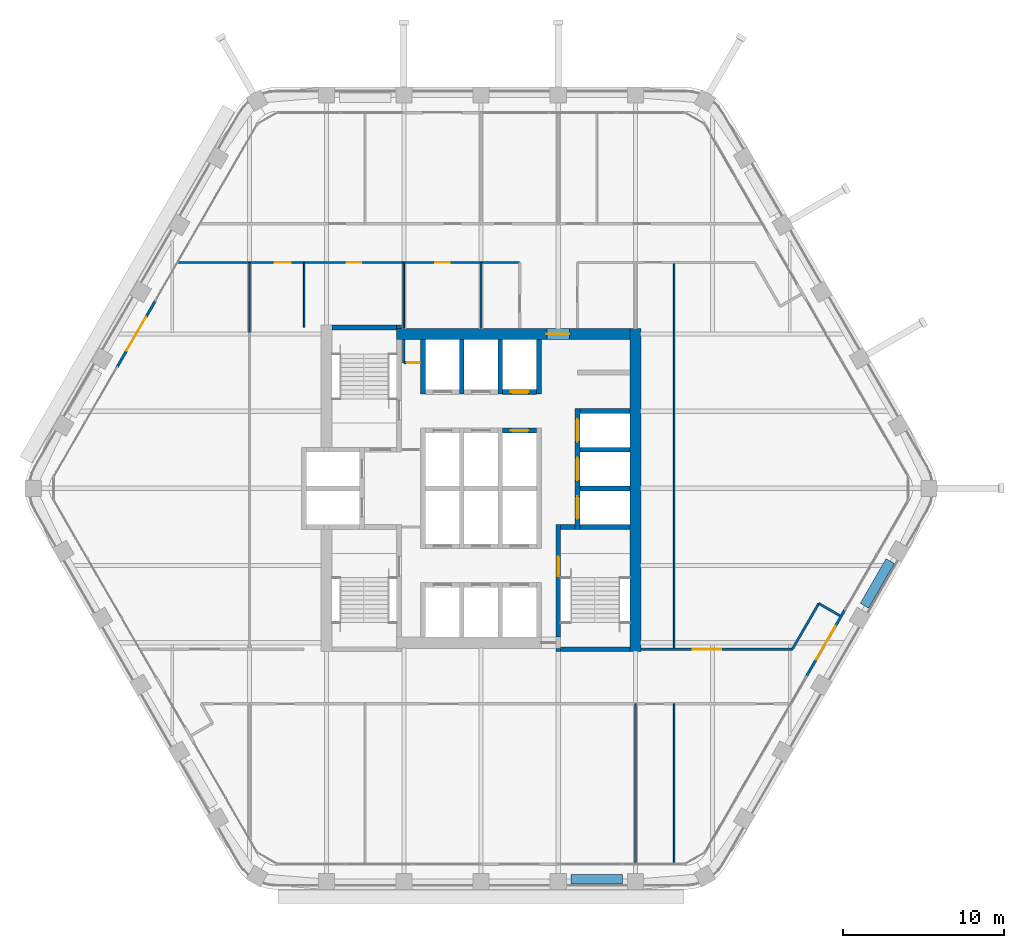
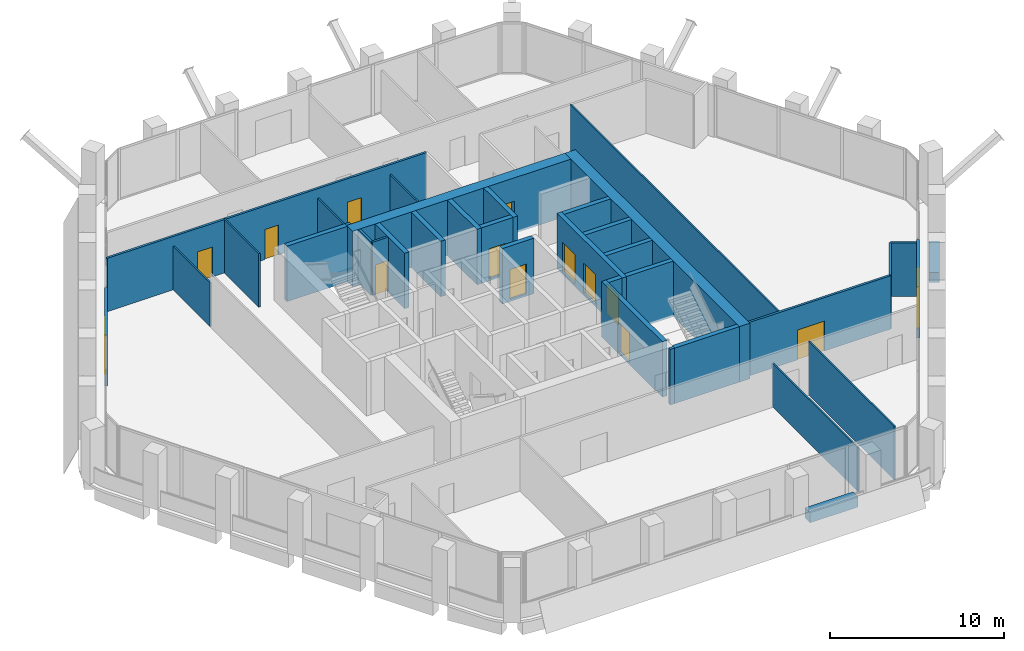
# One storey, part 11 of 16: 36 walls, 14 doors, 14 openings.
"""IFC4 building model written with IfcOpenShell, lengths in metres."""

from ifc_helpers import new_model, si_unit, direction, frame, frame_2d, origin, place, context, subcontext, project, spatial, rectangle, extrude, material, layer, layer_set, type_object, element, fill, save


model = new_model("IFC4")

# Units and contexts
model_context = context("Model", 3, precision=1e-05, world=origin(), true_north=direction((0.0, 1.0)))
body_context = subcontext(model_context, "Body", "Model", "MODEL_VIEW")
ifc_project = project(units=[si_unit("LENGTHUNIT", "METRE"), si_unit("AREAUNIT", "SQUARE_METRE"), si_unit("VOLUMEUNIT", "CUBIC_METRE"), si_unit("PLANEANGLEUNIT", "RADIAN"), si_unit("MASSUNIT", "GRAM", prefix="KILO")], contexts=[model_context])

# Site, building, storey
site_placement = place(None, origin())
site = spatial("IfcSite", under=ifc_project, at=site_placement, CompositionType="ELEMENT")
building_placement = place(site_placement, origin())
building = spatial("IfcBuilding", under=site, at=building_placement, Name="Kolab Exchange Tower", CompositionType="ELEMENT")
storey_placement = place(building_placement, frame((0.0, 0.0, 162.199951171875)))
storey = spatial("IfcBuildingStorey", under=building, at=storey_placement, Name="L33", CompositionType="ELEMENT", Elevation=162.199951171875)

# Wall, opening, door
ifc_material_1 = material(Name="Concrete C60/75", Category="concrete")
ifc_layer_1 = layer(ifc_material_1, 0.699951171875)
ifc_layer_set_1 = layer_set([ifc_layer_1], Name="Concrete C60/75")
wall_type_1 = type_object("IfcWallType", Name="CORE WALL 700 C60/75", PredefinedType="SHEAR", material=ifc_layer_set_1)
wall_1_placement = place(storey_placement, frame((-5.25, 9.60009765625, -0.14990234375), z_axis=(0.0, 0.0, 1.0), x_axis=(1.0, 0.0, 0.0)))
wall_1 = element("IfcWall", 1, at=wall_1_placement, inside=storey, type_object=wall_type_1, Name="wall/L33/core/031", PredefinedType="SHEAR", context=body_context, shape_type="SweptSolid", body=[
    extrude(rectangle(XDim=14.5, YDim=0.699951171875, at=frame_2d((7.25, 0.0))), origin(), (0.0, 0.0, 1.0), 3.89990234375),
])
opening_1_placement = place(wall_1_placement, frame((9.35009765625, 0.0, 0.14990234375)))
opening_1 = element("IfcOpeningElement", 2, at=opening_1_placement, cuts=wall_1, Name="Opening D5-010", PredefinedType="OPENING", context=body_context, shape_type="SweptSolid", body=[
    extrude(rectangle(XDim=1.39990234375, YDim=2.10009765625, at=frame_2d((0.699951171875, 1.050048828125))), frame((0.0, 0.35986328125, 0.0), z_axis=(0.0, -1.0, 0.0), x_axis=(1.0, 0.0, 0.0)), (0.0, 0.0, 1.0), 0.719970703125),
])
ifc_material_2 = material(Name="Steel S235", Category="steel")
door_type_1 = type_object("IfcDoorType", Name="CORE DOOR 1400 EI 120", OperationType="DOUBLE_DOOR_SINGLE_SWING", PredefinedType="DOOR", material=ifc_material_2)
door_1_placement = place(opening_1_placement, frame((1.39990234375, 0.0, 0.0), z_axis=(0.0, 0.0, 1.0), x_axis=(-1.0, 0.0, 0.0)))
door_1 = element("IfcDoor", 3, at=door_1_placement, inside=storey, type_object=door_type_1, Name="Core lobby door", OperationType="SINGLE_SWING_LEFT", OverallHeight=2.10009765625, OverallWidth=1.39990234375, PredefinedType="DOOR", context=body_context, shape_type="SweptSolid", body=[
    extrude(rectangle(XDim=1.39990234375, YDim=2.10009765625, at=frame_2d((0.699951171875, 1.050048828125))), frame((0.0, 0.02490234375, 0.0), z_axis=(0.0, -1.0, 0.0), x_axis=(1.0, 0.0, 0.0)), (0.0, 0.0, 1.0), 0.050048828125),
])
fill(opening_1, door_1)

# Wall
wall_2_placement = place(storey_placement, frame((9.60009765625, -10.14990234375, -0.14990234375), z_axis=(0.0, 0.0, 1.0), x_axis=(0.0, 1.0, 0.0)))
element("IfcWall", 4, at=wall_2_placement, inside=storey, type_object=wall_type_1, Name="wall/L33/core/058", PredefinedType="SHEAR", context=body_context, shape_type="SweptSolid", body=[
    extrude(rectangle(XDim=20.099853515625, YDim=0.699951171875, at=frame_2d((10.0498046875, 0.0))), origin(), (0.0, 0.0, 1.0), 3.89990234375),
])

# Wall, opening, door
ifc_material_3 = material(Name="Aluminium EN AW-6063 T6", Category="aluminium")
ifc_layer_2 = layer(ifc_material_3, 0.159912109375)
ifc_layer_set_2 = layer_set([ifc_layer_2], Name="Aluminium EN AW-6063 T6")
wall_type_2 = type_object("IfcWallType", Name="DOOR SURROUND WALL 160 ALUMINIUM FRAMED", PredefinedType="PARTITIONING", material=ifc_layer_set_2)
wall_3_placement = place(storey_placement, frame((22.61669921875, -7.5498046875, 0.0), z_axis=(0.0, 0.0, 1.0), x_axis=(-0.5000167099, -0.866015756104, 0.0)))
wall_3 = element("IfcWall", 5, at=wall_3_placement, inside=storey, type_object=wall_type_2, Name="Door surround wall", PredefinedType="PARTITIONING", context=body_context, shape_type="SweptSolid", body=[
    extrude(rectangle(XDim=4.739990234375, YDim=0.159912109375, at=frame_2d((2.3701171875, 0.0))), origin(), (0.0, 0.0, 1.0), 3.60009765625),
])
opening_2_placement = place(wall_3_placement, frame((1.169921875, 0.0, 0.0)))
opening_2 = element("IfcOpeningElement", 6, at=opening_2_placement, cuts=wall_3, Name="Opening GD1-072", PredefinedType="OPENING", context=body_context, shape_type="SweptSolid", body=[
    extrude(rectangle(XDim=2.39990234375, YDim=2.39990234375, at=frame_2d((1.199951171875, 1.199951171875))), frame((0.0, 0.08984375, 0.0), z_axis=(0.0, -1.0, 0.0), x_axis=(1.0, 0.0, 0.0)), (0.0, 0.0, 1.0), 0.179931640625),
])
door_type_2 = type_object("IfcDoorType", Name="LOGGIA SLIDING GLASS DOOR 2400 X 2400", OperationType="DOUBLE_DOOR_SINGLE_SWING", PredefinedType="DOOR", material=ifc_material_3)
door_2_placement = place(opening_2_placement, origin())
door_2 = element("IfcDoor", 7, at=door_2_placement, inside=storey, type_object=door_type_2, Name="Loggia door", OperationType="DOUBLE_DOOR_SLIDING", OverallHeight=2.39990234375, OverallWidth=2.39990234375, PredefinedType="DOOR", context=body_context, shape_type="SweptSolid", body=[
    extrude(rectangle(XDim=2.39990234375, YDim=2.39990234375, at=frame_2d((1.199951171875, 1.199951171875))), frame((0.0, 0.02490234375, 0.0), z_axis=(0.0, -1.0, 0.0), x_axis=(1.0, 0.0, 0.0)), (0.0, 0.0, 1.0), 0.050048828125),
])
fill(opening_2, door_2)

wall_4_placement = place(storey_placement, frame((-22.61669921875, 7.5498046875, 0.0), z_axis=(0.0, 0.0, 1.0), x_axis=(0.5000167099, 0.866015756104, 0.0)))
wall_4 = element("IfcWall", 8, at=wall_4_placement, inside=storey, type_object=wall_type_2, Name="Door surround wall", PredefinedType="PARTITIONING", context=body_context, shape_type="SweptSolid", body=[
    extrude(rectangle(XDim=4.739990234375, YDim=0.159912109375, at=frame_2d((2.3701171875, 0.0))), origin(), (0.0, 0.0, 1.0), 3.60009765625),
])
opening_3_placement = place(wall_4_placement, frame((1.169921875, 0.0, 0.0)))
opening_3 = element("IfcOpeningElement", 9, at=opening_3_placement, cuts=wall_4, Name="Opening GD1-078", PredefinedType="OPENING", context=body_context, shape_type="SweptSolid", body=[
    extrude(rectangle(XDim=2.39990234375, YDim=2.39990234375, at=frame_2d((1.199951171875, 1.199951171875))), frame((0.0, 0.08984375, 0.0), z_axis=(0.0, -1.0, 0.0), x_axis=(1.0, 0.0, 0.0)), (0.0, 0.0, 1.0), 0.179931640625),
])
door_3_placement = place(opening_3_placement, origin())
door_3 = element("IfcDoor", 10, at=door_3_placement, inside=storey, type_object=door_type_2, Name="Loggia door", OperationType="DOUBLE_DOOR_SLIDING", OverallHeight=2.39990234375, OverallWidth=2.39990234375, PredefinedType="DOOR", context=body_context, shape_type="SweptSolid", body=[
    extrude(rectangle(XDim=2.39990234375, YDim=2.39990234375, at=frame_2d((1.199951171875, 1.199951171875))), frame((0.0, 0.02490234375, 0.0), z_axis=(0.0, -1.0, 0.0), x_axis=(1.0, 0.0, 0.0)), (0.0, 0.0, 1.0), 0.050048828125),
])
fill(opening_3, door_3)

# Walls
ifc_material_4 = material(Name="Concrete C50/60", Category="concrete")
ifc_layer_3 = layer(ifc_material_4, 0.300048828125)
ifc_layer_set_3 = layer_set([ifc_layer_3], Name="Concrete C50/60")
wall_type_3 = type_object("IfcWallType", Name="LIFT SHAFT WALL 300 C50/60", PredefinedType="STANDARD", material=ifc_layer_set_3)
for number, where, z_axis, x_axis, name in (
    (11, (6.14990234375, 0.0, -0.14990234375), (0.0, 0.0, 1.0), (1.0, 0.0, 0.0), "wall/L33/core/018"),
    (12, (6.14990234375, 2.39990234375, -0.14990234375), (0.0, 0.0, 1.0), (1.0, 0.0, 0.0), "wall/L33/core/022"),
):
    element("IfcWall", number, at=place(storey_placement, frame(where, z_axis=z_axis, x_axis=x_axis)), inside=storey, type_object=wall_type_3, Name=name, PredefinedType="STANDARD", context=body_context, shape_type="SweptSolid", body=[
        extrude(rectangle(XDim=3.10009765625, YDim=0.300048828125, at=frame_2d((1.550048828125, 0.0))), origin(), (0.0, 0.0, 1.0), 3.89990234375),
    ])

# Wall, opening, door
wall_5_placement = place(storey_placement, frame((1.35009765625, 3.60009765625, -0.14990234375), z_axis=(0.0, 0.0, 1.0), x_axis=(1.0, 0.0, 0.0)))
wall_5 = element("IfcWall", 13, at=wall_5_placement, inside=storey, type_object=wall_type_3, Name="wall/L33/core/025", PredefinedType="STANDARD", context=body_context, shape_type="SweptSolid", body=[
    extrude(rectangle(XDim=2.099853515625, YDim=0.300048828125, at=frame_2d((1.0498046875, 0.0))), origin(), (0.0, 0.0, 1.0), 3.89990234375),
])
opening_4_placement = place(wall_5_placement, frame((0.5, 0.0, 0.14990234375)))
opening_4 = element("IfcOpeningElement", 14, at=opening_4_placement, cuts=wall_5, Name="Opening LD1-117", PredefinedType="OPENING", context=body_context, shape_type="SweptSolid", body=[
    extrude(rectangle(XDim=1.10009765625, YDim=2.10009765625, at=frame_2d((0.550048828125, 1.050048828125))), frame((0.0, 0.16015625, 0.0), z_axis=(0.0, -1.0, 0.0), x_axis=(1.0, 0.0, 0.0)), (0.0, 0.0, 1.0), 0.320068359375),
])
ifc_material_5 = material(Name="Stainless steel 316", Category="steel")
door_type_3 = type_object("IfcDoorType", Name="LANDING DOOR 1100 PASSENGER", OperationType="DOUBLE_DOOR_SLIDING", PredefinedType="DOOR", material=ifc_material_5)
door_4_placement = place(opening_4_placement, origin())
door_4 = element("IfcDoor", 15, at=door_4_placement, inside=storey, type_object=door_type_3, Name="Landing door HR6", OperationType="DOUBLE_DOOR_SLIDING", OverallHeight=2.10009765625, OverallWidth=1.10009765625, PredefinedType="DOOR", context=body_context, shape_type="SweptSolid", body=[
    extrude(rectangle(XDim=1.10009765625, YDim=2.10009765625, at=frame_2d((0.550048828125, 1.050048828125))), frame((0.0, 0.02490234375, 0.0), z_axis=(0.0, -1.0, 0.0), x_axis=(1.0, 0.0, 0.0)), (0.0, 0.0, 1.0), 0.050048828125),
])
fill(opening_4, door_4)

# Wall
wall_6_placement = place(storey_placement, frame((6.14990234375, 4.800048828125, -0.14990234375), z_axis=(0.0, 0.0, 1.0), x_axis=(1.0, 0.0, 0.0)))
element("IfcWall", 16, at=wall_6_placement, inside=storey, type_object=wall_type_3, Name="wall/L33/core/026", PredefinedType="STANDARD", context=body_context, shape_type="SweptSolid", body=[
    extrude(rectangle(XDim=3.10009765625, YDim=0.300048828125, at=frame_2d((1.550048828125, 0.0))), origin(), (0.0, 0.0, 1.0), 3.89990234375),
])

# Wall, opening, door
wall_7_placement = place(storey_placement, frame((1.35009765625, 6.0, -0.14990234375), z_axis=(0.0, 0.0, 1.0), x_axis=(1.0, 0.0, 0.0)))
wall_7 = element("IfcWall", 17, at=wall_7_placement, inside=storey, type_object=wall_type_3, Name="wall/L33/core/029", PredefinedType="STANDARD", context=body_context, shape_type="SweptSolid", body=[
    extrude(rectangle(XDim=2.099853515625, YDim=0.300048828125, at=frame_2d((1.0498046875, 0.0))), origin(), (0.0, 0.0, 1.0), 3.89990234375),
])
opening_5_placement = place(wall_7_placement, frame((0.5, 0.0, 0.14990234375)))
opening_5 = element("IfcOpeningElement", 18, at=opening_5_placement, cuts=wall_7, Name="Opening LD1-114", PredefinedType="OPENING", context=body_context, shape_type="SweptSolid", body=[
    extrude(rectangle(XDim=1.10009765625, YDim=2.10009765625, at=frame_2d((0.550048828125, 1.050048828125))), frame((0.0, 0.16015625, 0.0), z_axis=(0.0, -1.0, 0.0), x_axis=(1.0, 0.0, 0.0)), (0.0, 0.0, 1.0), 0.320068359375),
])
door_5_placement = place(opening_5_placement, origin())
door_5 = element("IfcDoor", 19, at=door_5_placement, inside=storey, type_object=door_type_3, Name="Landing door HR3", OperationType="DOUBLE_DOOR_SLIDING", OverallHeight=2.10009765625, OverallWidth=1.10009765625, PredefinedType="DOOR", context=body_context, shape_type="SweptSolid", body=[
    extrude(rectangle(XDim=1.10009765625, YDim=2.10009765625, at=frame_2d((0.550048828125, 1.050048828125))), frame((0.0, 0.02490234375, 0.0), z_axis=(0.0, -1.0, 0.0), x_axis=(1.0, 0.0, 0.0)), (0.0, 0.0, 1.0), 0.050048828125),
])
fill(opening_5, door_5)

# Walls
for number, where, z_axis, x_axis, name in (
    (20, (-3.60009765625, 5.85009765625, -0.14990234375), (0.0, 0.0, 1.0), (0.0, 1.0, 0.0), "wall/L33/core/045"),
    (21, (-1.199951171875, 5.85009765625, -0.14990234375), (0.0, 0.0, 1.0), (0.0, 1.0, 0.0), "wall/L33/core/048"),
    (22, (1.199951171875, 5.85009765625, -0.14990234375), (0.0, 0.0, 1.0), (0.0, 1.0, 0.0), "wall/L33/core/051"),
    (23, (3.60009765625, 5.85009765625, -0.14990234375), (0.0, 0.0, 1.0), (0.0, 1.0, 0.0), "wall/L33/core/054"),
):
    element("IfcWall", number, at=place(storey_placement, frame(where, z_axis=z_axis, x_axis=x_axis)), inside=storey, type_object=wall_type_3, Name=name, PredefinedType="STANDARD", context=body_context, shape_type="SweptSolid", body=[
        extrude(rectangle(XDim=3.39990234375, YDim=0.300048828125, at=frame_2d((1.699951171875, 0.0))), origin(), (0.0, 0.0, 1.0), 3.89990234375),
    ])

# Wall, openings, doors
wall_8_placement = place(storey_placement, frame((6.0, -2.550048828125, -0.14990234375), z_axis=(0.0, 0.0, 1.0), x_axis=(0.0, 1.0, 0.0)))
wall_8 = element("IfcWall", 24, at=wall_8_placement, inside=storey, type_object=wall_type_3, Name="wall/L33/core/057", PredefinedType="STANDARD", context=body_context, shape_type="SweptSolid", body=[
    extrude(rectangle(XDim=7.5, YDim=0.300048828125, at=frame_2d((3.75, 0.0))), origin(), (0.0, 0.0, 1.0), 3.89990234375),
])
opening_6_placement = place(wall_8_placement, frame((0.64990234375, 0.0, 0.14990234375)))
opening_6 = element("IfcOpeningElement", 25, at=opening_6_placement, cuts=wall_8, Name="Opening LD3-037", PredefinedType="OPENING", context=body_context, shape_type="SweptSolid", body=[
    extrude(rectangle(XDim=1.39990234375, YDim=2.10009765625, at=frame_2d((0.699951171875, 1.050048828125))), frame((0.0, 0.16015625, 0.0), z_axis=(0.0, -1.0, 0.0), x_axis=(1.0, 0.0, 0.0)), (0.0, 0.0, 1.0), 0.320068359375),
])
opening_7_placement = place(wall_8_placement, frame((3.050048828125, 0.0, 0.14990234375)))
opening_7 = element("IfcOpeningElement", 26, at=opening_7_placement, cuts=wall_8, Name="Opening LD3-038", PredefinedType="OPENING", context=body_context, shape_type="SweptSolid", body=[
    extrude(rectangle(XDim=1.39990234375, YDim=2.10009765625, at=frame_2d((0.699951171875, 1.050048828125))), frame((0.0, 0.16015625, 0.0), z_axis=(0.0, -1.0, 0.0), x_axis=(1.0, 0.0, 0.0)), (0.0, 0.0, 1.0), 0.320068359375),
])
opening_8_placement = place(wall_8_placement, frame((5.449951171875, 0.0, 0.14990234375)))
opening_8 = element("IfcOpeningElement", 27, at=opening_8_placement, cuts=wall_8, Name="Opening LD3-039", PredefinedType="OPENING", context=body_context, shape_type="SweptSolid", body=[
    extrude(rectangle(XDim=1.39990234375, YDim=2.10009765625, at=frame_2d((0.699951171875, 1.050048828125))), frame((0.0, 0.16015625, 0.0), z_axis=(0.0, -1.0, 0.0), x_axis=(1.0, 0.0, 0.0)), (0.0, 0.0, 1.0), 0.320068359375),
])
door_type_4 = type_object("IfcDoorType", Name="LANDING DOOR 1400 SERVICE", OperationType="DOUBLE_DOOR_SLIDING", PredefinedType="DOOR", material=ifc_material_5)
door_6_placement = place(opening_6_placement, origin())
door_6 = element("IfcDoor", 28, at=door_6_placement, inside=storey, type_object=door_type_4, Name="Landing door SV1", OperationType="DOUBLE_DOOR_SLIDING", OverallHeight=2.10009765625, OverallWidth=1.39990234375, PredefinedType="DOOR", context=body_context, shape_type="SweptSolid", body=[
    extrude(rectangle(XDim=1.39990234375, YDim=2.10009765625, at=frame_2d((0.699951171875, 1.050048828125))), frame((0.0, 0.02490234375, 0.0), z_axis=(0.0, -1.0, 0.0), x_axis=(1.0, 0.0, 0.0)), (0.0, 0.0, 1.0), 0.050048828125),
])
fill(opening_6, door_6)
door_7_placement = place(opening_7_placement, origin())
door_7 = element("IfcDoor", 29, at=door_7_placement, inside=storey, type_object=door_type_4, Name="Landing door SV2", OperationType="DOUBLE_DOOR_SLIDING", OverallHeight=2.10009765625, OverallWidth=1.39990234375, PredefinedType="DOOR", context=body_context, shape_type="SweptSolid", body=[
    extrude(rectangle(XDim=1.39990234375, YDim=2.10009765625, at=frame_2d((0.699951171875, 1.050048828125))), frame((0.0, 0.02490234375, 0.0), z_axis=(0.0, -1.0, 0.0), x_axis=(1.0, 0.0, 0.0)), (0.0, 0.0, 1.0), 0.050048828125),
])
fill(opening_7, door_7)
door_8_placement = place(opening_8_placement, origin())
door_8 = element("IfcDoor", 30, at=door_8_placement, inside=storey, type_object=door_type_4, Name="Landing door SV3", OperationType="DOUBLE_DOOR_SLIDING", OverallHeight=2.10009765625, OverallWidth=1.39990234375, PredefinedType="DOOR", context=body_context, shape_type="SweptSolid", body=[
    extrude(rectangle(XDim=1.39990234375, YDim=2.10009765625, at=frame_2d((0.699951171875, 1.050048828125))), frame((0.0, 0.02490234375, 0.0), z_axis=(0.0, -1.0, 0.0), x_axis=(1.0, 0.0, 0.0)), (0.0, 0.0, 1.0), 0.050048828125),
])
fill(opening_8, door_8)

# Walls
ifc_material_6 = material(Name="Gypsum board", Category="gypsum")
ifc_layer_4 = layer(ifc_material_6, 0.10009765625)
ifc_layer_set_4 = layer_set([ifc_layer_4], Name="Gypsum board")
wall_type_4 = type_object("IfcWallType", Name="PARTITION 100", PredefinedType="PARTITIONING", material=ifc_layer_set_4)
wall_9_placement = place(storey_placement, frame((12.0, -23.271484375, 0.0), z_axis=(0.0, 0.0, 1.0), x_axis=(0.0, 1.0, 0.0)))
element("IfcWall", 31, at=wall_9_placement, inside=storey, type_object=wall_type_4, Name="Partition 000", PredefinedType="PARTITIONING", context=body_context, shape_type="SweptSolid", body=[
    extrude(rectangle(XDim=9.87158203125, YDim=0.10009765625, at=frame_2d((4.935791015625, 0.0))), origin(), (0.0, 0.0, 1.0), 3.75),
])
wall_10_placement = place(storey_placement, frame((12.0, -10.0, 0.0), z_axis=(0.0, 0.0, 1.0), x_axis=(0.0, 1.0, 0.0)))
element("IfcWall", 32, at=wall_10_placement, inside=storey, type_object=wall_type_4, Name="Partition 001", PredefinedType="PARTITIONING", context=body_context, shape_type="SweptSolid", body=[
    extrude(rectangle(XDim=24.04150390625, YDim=0.10009765625, at=frame_2d((12.020751953125, 0.0))), origin(), (0.0, 0.0, 1.0), 3.75),
])
wall_11_placement = place(storey_placement, frame((9.60009765625, -23.271484375, 0.0), z_axis=(0.0, 0.0, 1.0), x_axis=(0.0, 1.0, 0.0)))
element("IfcWall", 33, at=wall_11_placement, inside=storey, type_object=wall_type_4, Name="Partition 002", PredefinedType="PARTITIONING", context=body_context, shape_type="SweptSolid", body=[
    extrude(rectangle(XDim=9.87158203125, YDim=0.10009765625, at=frame_2d((4.935791015625, 0.0))), origin(), (0.0, 0.0, 1.0), 3.066162109375),
])
for number, where, z_axis, x_axis, name in (
    (34, (0.0, 9.949951171875, 0.0), (0.0, 0.0, 1.0), (0.0, 1.0, 0.0), "Partition 008"),
    (35, (-4.800048828125, 9.949951171875, 0.0), (0.0, 0.0, 1.0), (0.0, 1.0, 0.0), "Partition 010"),
):
    element("IfcWall", number, at=place(storey_placement, frame(where, z_axis=z_axis, x_axis=x_axis)), inside=storey, type_object=wall_type_4, Name=name, PredefinedType="PARTITIONING", context=body_context, shape_type="SweptSolid", body=[
        extrude(rectangle(XDim=4.091552734375, YDim=0.10009765625, at=frame_2d((2.0458984375, 0.0))), origin(), (0.0, 0.0, 1.0), 3.066162109375),
    ])
wall_12_placement = place(storey_placement, frame((-11.0, 10.0, 0.0), z_axis=(0.0, 0.0, 1.0), x_axis=(0.0, 1.0, 0.0)))
element("IfcWall", 36, at=wall_12_placement, inside=storey, type_object=wall_type_4, Name="Partition 014", PredefinedType="PARTITIONING", context=body_context, shape_type="SweptSolid", body=[
    extrude(rectangle(XDim=4.04150390625, YDim=0.10009765625, at=frame_2d((2.020751953125, 0.0))), origin(), (0.0, 0.0, 1.0), 3.75),
])
wall_13_placement = place(storey_placement, frame((-14.39990234375, 9.693603515625, 0.0), z_axis=(0.0, 0.0, 1.0), x_axis=(0.0, 1.0, 0.0)))
element("IfcWall", 37, at=wall_13_placement, inside=storey, type_object=wall_type_4, Name="Partition 016", PredefinedType="PARTITIONING", context=body_context, shape_type="SweptSolid", body=[
    extrude(rectangle(XDim=4.347900390625, YDim=0.10009765625, at=frame_2d((2.173828125, 0.0))), origin(), (0.0, 0.0, 1.0), 3.066162109375),
])
ifc_layer_5 = layer(ifc_material_6, 0.14990234375)
ifc_layer_set_5 = layer_set([ifc_layer_5], Name="Gypsum board")
wall_type_5 = type_object("IfcWallType", Name="PARTITION 150 FIRE-RATED", PredefinedType="PARTITIONING", material=ifc_layer_set_5)
wall_14_placement = place(storey_placement, frame((-4.800048828125, 7.800048828125, 0.0), z_axis=(0.0, 0.0, 1.0), x_axis=(0.0, 1.0, 0.0)))
element("IfcWall", 38, at=wall_14_placement, inside=storey, type_object=wall_type_5, Name="Partition 011", PredefinedType="PARTITIONING", context=body_context, shape_type="SweptSolid", body=[
    extrude(rectangle(XDim=1.449951171875, YDim=0.14990234375, at=frame_2d((0.72509765625, 0.0))), origin(), (0.0, 0.0, 1.0), 3.75),
])
wall_15_placement = place(storey_placement, frame((19.3544921875, -10.0, 0.0), z_axis=(0.0, 0.0, 1.0), x_axis=(0.500009969958, 0.86601964755, 0.0)))
element("IfcWall", 39, at=wall_15_placement, inside=storey, type_object=wall_type_5, Name="Partition 019", PredefinedType="PARTITIONING", context=body_context, shape_type="SweptSolid", body=[
    extrude(rectangle(XDim=3.283203125, YDim=0.14990234375, at=frame_2d((1.6416015625, 0.0))), origin(), (0.0, 0.0, 1.0), 3.75),
])
wall_16_placement = place(storey_placement, frame((20.99609375, -7.15673828125, 0.0), z_axis=(0.0, 0.0, 1.0), x_axis=(0.865960906633, -0.500111695708, 0.0)))
element("IfcWall", 40, at=wall_16_placement, inside=storey, type_object=wall_type_5, Name="Partition 020", PredefinedType="PARTITIONING", context=body_context, shape_type="SweptSolid", body=[
    extrude(rectangle(XDim=1.520263671875, YDim=0.14990234375, at=frame_2d((0.76025390625, 0.0))), origin(), (0.0, 0.0, 1.0), 3.75),
])

# Wall, opening, door
wall_17_placement = place(storey_placement, frame((9.949951171875, -10.0, 0.0), z_axis=(0.0, 0.0, 1.0), x_axis=(1.0, 0.0, 0.0)))
wall_17 = element("IfcWall", 41, at=wall_17_placement, inside=storey, type_object=wall_type_5, Name="Partition 025", PredefinedType="PARTITIONING", context=body_context, shape_type="SweptSolid", body=[
    extrude(rectangle(XDim=9.404541015625, YDim=0.14990234375, at=frame_2d((4.7021484375, 0.0))), origin(), (0.0, 0.0, 1.0), 3.75),
])
opening_9_placement = place(wall_17_placement, frame((3.1982421875, 0.0, 0.0)))
opening_9 = element("IfcOpeningElement", 42, at=opening_9_placement, cuts=wall_17, Name="Opening D2-046", PredefinedType="OPENING", context=body_context, shape_type="SweptSolid", body=[
    extrude(rectangle(XDim=1.800048828125, YDim=2.10009765625, at=frame_2d((0.89990234375, 1.050048828125))), frame((0.0, 0.0849609375, 0.0), z_axis=(0.0, -1.0, 0.0), x_axis=(1.0, 0.0, 0.0)), (0.0, 0.0, 1.0), 0.169921875),
])
door_type_5 = type_object("IfcDoorType", Name="DOUBLE DOOR 1800 FD60", OperationType="DOUBLE_DOOR_SINGLE_SWING", PredefinedType="DOOR", material=ifc_material_2)
door_9_placement = place(opening_9_placement, origin())
door_9 = element("IfcDoor", 43, at=door_9_placement, inside=storey, type_object=door_type_5, Name="Door L33-044", OperationType="SINGLE_SWING_LEFT", OverallHeight=2.10009765625, OverallWidth=1.800048828125, PredefinedType="DOOR", context=body_context, shape_type="SweptSolid", body=[
    extrude(rectangle(XDim=1.800048828125, YDim=2.10009765625, at=frame_2d((0.89990234375, 1.050048828125))), frame((0.0, 0.02490234375, 0.0), z_axis=(0.0, -1.0, 0.0), x_axis=(1.0, 0.0, 0.0)), (0.0, 0.0, 1.0), 0.050048828125),
])
fill(opening_9, door_9)

wall_18_placement = place(storey_placement, frame((-4.800048828125, 7.800048828125, 0.0), z_axis=(0.0, 0.0, 1.0), x_axis=(1.0, 0.0, 0.0)))
wall_18 = element("IfcWall", 44, at=wall_18_placement, inside=storey, type_object=wall_type_5, Name="Partition 026", PredefinedType="PARTITIONING", context=body_context, shape_type="SweptSolid", body=[
    extrude(rectangle(XDim=1.050048828125, YDim=0.14990234375, at=frame_2d((0.52490234375, 0.0))), origin(), (0.0, 0.0, 1.0), 3.75),
])
opening_10_placement = place(wall_18_placement, frame((0.199951171875, 0.0, 0.0)))
opening_10 = element("IfcOpeningElement", 45, at=opening_10_placement, cuts=wall_18, Name="Opening D7-030", PredefinedType="OPENING", context=body_context, shape_type="SweptSolid", body=[
    extrude(rectangle(XDim=0.800048828125, YDim=2.10009765625, at=frame_2d((0.39990234375, 1.050048828125))), frame((0.0, 0.0849609375, 0.0), z_axis=(0.0, -1.0, 0.0), x_axis=(1.0, 0.0, 0.0)), (0.0, 0.0, 1.0), 0.169921875),
])
door_type_6 = type_object("IfcDoorType", Name="FLUSH DOOR 800 FD60", OperationType="SINGLE_SWING_LEFT", PredefinedType="DOOR", material=ifc_material_2)
door_10_placement = place(opening_10_placement, origin())
door_10 = element("IfcDoor", 46, at=door_10_placement, inside=storey, type_object=door_type_6, Name="Door L33-023", OperationType="SINGLE_SWING_RIGHT", OverallHeight=2.10009765625, OverallWidth=0.800048828125, PredefinedType="DOOR", context=body_context, shape_type="SweptSolid", body=[
    extrude(rectangle(XDim=0.800048828125, YDim=2.10009765625, at=frame_2d((0.39990234375, 1.050048828125))), frame((0.0, 0.02490234375, 0.0), z_axis=(0.0, -1.0, 0.0), x_axis=(1.0, 0.0, 0.0)), (0.0, 0.0, 1.0), 0.050048828125),
])
fill(opening_10, door_10)

# Wall, openings, doors
wall_19_placement = place(storey_placement, frame((-18.822509765625, 14.04150390625, 0.0), z_axis=(0.0, 0.0, 1.0), x_axis=(1.0, 0.0, 0.0)))
wall_19 = element("IfcWall", 47, at=wall_19_placement, inside=storey, type_object=wall_type_5, Name="Partition 027", PredefinedType="PARTITIONING", context=body_context, shape_type="SweptSolid", body=[
    extrude(rectangle(XDim=21.222412109375, YDim=0.14990234375, at=frame_2d((10.611328125, 0.0))), origin(), (0.0, 0.0, 1.0), 3.75),
])
opening_11_placement = place(wall_19_placement, frame((10.472412109375, 0.0, 0.0)))
opening_11 = element("IfcOpeningElement", 48, at=opening_11_placement, cuts=wall_19, Name="Opening D3-046", PredefinedType="OPENING", context=body_context, shape_type="SweptSolid", body=[
    extrude(rectangle(XDim=0.89990234375, YDim=2.10009765625, at=frame_2d((0.449951171875, 1.050048828125))), frame((0.0, 0.0849609375, 0.0), z_axis=(0.0, -1.0, 0.0), x_axis=(1.0, 0.0, 0.0)), (0.0, 0.0, 1.0), 0.169921875),
])
opening_12_placement = place(wall_19_placement, frame((15.972412109375, 0.0, 0.0)))
opening_12 = element("IfcOpeningElement", 49, at=opening_12_placement, cuts=wall_19, Name="Opening D3-047", PredefinedType="OPENING", context=body_context, shape_type="SweptSolid", body=[
    extrude(rectangle(XDim=0.89990234375, YDim=2.10009765625, at=frame_2d((0.449951171875, 1.050048828125))), frame((0.0, 0.0849609375, 0.0), z_axis=(0.0, -1.0, 0.0), x_axis=(1.0, 0.0, 0.0)), (0.0, 0.0, 1.0), 0.169921875),
])
opening_13_placement = place(wall_19_placement, frame((5.99755859375, 0.0, 0.0)))
opening_13 = element("IfcOpeningElement", 50, at=opening_13_placement, cuts=wall_19, Name="Opening D1-458", PredefinedType="OPENING", context=body_context, shape_type="SweptSolid", body=[
    extrude(rectangle(XDim=1.0, YDim=2.10009765625, at=frame_2d((0.5, 1.050048828125))), frame((0.0, 0.0849609375, 0.0), z_axis=(0.0, -1.0, 0.0), x_axis=(1.0, 0.0, 0.0)), (0.0, 0.0, 1.0), 0.169921875),
])
door_type_7 = type_object("IfcDoorType", Name="FLUSH DOOR 1000 FD60", OperationType="SINGLE_SWING_LEFT", PredefinedType="DOOR", material=ifc_material_2)
door_11_placement = place(opening_13_placement, frame((1.0, 0.0, 0.0), z_axis=(0.0, 0.0, 1.0), x_axis=(-1.0, 0.0, 0.0)))
door_11 = element("IfcDoor", 51, at=door_11_placement, inside=storey, type_object=door_type_7, Name="Door L33-046", OperationType="SINGLE_SWING_RIGHT", OverallHeight=2.10009765625, OverallWidth=1.0, PredefinedType="DOOR", context=body_context, shape_type="SweptSolid", body=[
    extrude(rectangle(XDim=1.0, YDim=2.10009765625, at=frame_2d((0.5, 1.050048828125))), frame((0.0, 0.02490234375, 0.0), z_axis=(0.0, -1.0, 0.0), x_axis=(1.0, 0.0, 0.0)), (0.0, 0.0, 1.0), 0.050048828125),
])
fill(opening_13, door_11)
door_type_8 = type_object("IfcDoorType", Name="FLUSH DOOR 900 FD60", OperationType="SINGLE_SWING_LEFT", PredefinedType="DOOR", material=ifc_material_2)
door_12_placement = place(opening_11_placement, frame((0.89990234375, 0.0, 0.0), z_axis=(0.0, 0.0, 1.0), x_axis=(-1.0, 0.0, 0.0)))
door_12 = element("IfcDoor", 52, at=door_12_placement, inside=storey, type_object=door_type_8, Name="Door L33-030", OperationType="SINGLE_SWING_LEFT", OverallHeight=2.10009765625, OverallWidth=0.89990234375, PredefinedType="DOOR", context=body_context, shape_type="SweptSolid", body=[
    extrude(rectangle(XDim=0.89990234375, YDim=2.10009765625, at=frame_2d((0.449951171875, 1.050048828125))), frame((0.0, 0.02490234375, 0.0), z_axis=(0.0, -1.0, 0.0), x_axis=(1.0, 0.0, 0.0)), (0.0, 0.0, 1.0), 0.050048828125),
])
fill(opening_11, door_12)
door_13_placement = place(opening_12_placement, frame((0.89990234375, 0.0, 0.0), z_axis=(0.0, 0.0, 1.0), x_axis=(-1.0, 0.0, 0.0)))
door_13 = element("IfcDoor", 53, at=door_13_placement, inside=storey, type_object=door_type_8, Name="Door L33-031", OperationType="SINGLE_SWING_LEFT", OverallHeight=2.10009765625, OverallWidth=0.89990234375, PredefinedType="DOOR", context=body_context, shape_type="SweptSolid", body=[
    extrude(rectangle(XDim=0.89990234375, YDim=2.10009765625, at=frame_2d((0.449951171875, 1.050048828125))), frame((0.0, 0.02490234375, 0.0), z_axis=(0.0, -1.0, 0.0), x_axis=(1.0, 0.0, 0.0)), (0.0, 0.0, 1.0), 0.050048828125),
])
fill(opening_12, door_13)

# Walls
ifc_material_7 = material(Name="Granite facing", Category="masonry")
ifc_layer_6 = layer(ifc_material_7, 0.0400390625)
ifc_material_8 = material(Name="Concrete C40/50 precast", Category="concrete")
ifc_layer_7 = layer(ifc_material_8, 0.56005859375)
ifc_layer_set_6 = layer_set([ifc_layer_6, ifc_layer_7], Name="Concrete C40/50 precast")
wall_type_6 = type_object("IfcWallType", Name="PLANTER BOX 600 X 700 SOIL DEPTH 550", PredefinedType="USERDEFINED", material=ifc_layer_set_6)
wall_20_placement = place(storey_placement, frame((25.43701171875, -4.524658203125, 0.0), z_axis=(0.0, 0.0, 1.0), x_axis=(-0.499938187974, -0.866061088033, 0.0)))
element("IfcWall", 54, at=wall_20_placement, inside=storey, type_object=wall_type_6, Name="Planter", ObjectType="PLANTER", PredefinedType="USERDEFINED", context=body_context, shape_type="SweptSolid", body=[
    extrude(rectangle(XDim=3.2001953125, YDim=0.60009765625, at=frame_2d((1.60009765625, 0.0))), origin(), (0.0, 0.0, 1.0), 0.699951171875),
])
wall_21_placement = place(storey_placement, frame((8.800048828125, -24.29150390625, 0.0), z_axis=(0.0, 0.0, 1.0), x_axis=(-1.0, 0.0, 0.0)))
element("IfcWall", 55, at=wall_21_placement, inside=storey, type_object=wall_type_6, Name="Planter", ObjectType="PLANTER", PredefinedType="USERDEFINED", context=body_context, shape_type="SweptSolid", body=[
    extrude(rectangle(XDim=3.199951171875, YDim=0.60009765625, at=frame_2d((1.60009765625, 0.0))), origin(), (0.0, 0.0, 1.0), 0.699951171875),
])
ifc_layer_8 = layer(ifc_material_4, 0.300048828125)
ifc_layer_set_7 = layer_set([ifc_layer_8], Name="Concrete C50/60")
wall_type_7 = type_object("IfcWallType", Name="STAIR ENCLOSURE WALL 300 C50/60", PredefinedType="STANDARD", material=ifc_layer_set_7)
wall_22_placement = place(storey_placement, frame((4.949951171875, -10.0, -0.14990234375), z_axis=(0.0, 0.0, 1.0), x_axis=(1.0, 0.0, 0.0)))
element("IfcWall", 56, at=wall_22_placement, inside=storey, type_object=wall_type_7, Name="wall/L33/core/001", PredefinedType="STANDARD", context=body_context, shape_type="SweptSolid", body=[
    extrude(rectangle(XDim=4.300048828125, YDim=0.300048828125, at=frame_2d((2.14990234375, 0.0))), origin(), (0.0, 0.0, 1.0), 3.89990234375),
])
wall_23_placement = place(storey_placement, frame((4.949951171875, -2.39990234375, -0.14990234375), z_axis=(0.0, 0.0, 1.0), x_axis=(1.0, 0.0, 0.0)))
element("IfcWall", 57, at=wall_23_placement, inside=storey, type_object=wall_type_7, Name="wall/L33/core/012", PredefinedType="STANDARD", context=body_context, shape_type="SweptSolid", body=[
    extrude(rectangle(XDim=0.900146484375, YDim=0.300048828125, at=frame_2d((0.4501953125, 0.0))), origin(), (0.0, 0.0, 1.0), 3.89990234375),
])
wall_24_placement = place(storey_placement, frame((6.14990234375, -2.39990234375, -0.14990234375), z_axis=(0.0, 0.0, 1.0), x_axis=(1.0, 0.0, 0.0)))
element("IfcWall", 58, at=wall_24_placement, inside=storey, type_object=wall_type_7, Name="wall/L33/core/013", PredefinedType="STANDARD", context=body_context, shape_type="SweptSolid", body=[
    extrude(rectangle(XDim=3.10009765625, YDim=0.300048828125, at=frame_2d((1.550048828125, 0.0))), origin(), (0.0, 0.0, 1.0), 3.89990234375),
])
wall_25_placement = place(storey_placement, frame((-9.25, 10.0, -0.14990234375), z_axis=(0.0, 0.0, 1.0), x_axis=(1.0, 0.0, 0.0)))
element("IfcWall", 59, at=wall_25_placement, inside=storey, type_object=wall_type_7, Name="wall/L33/core/032", PredefinedType="STANDARD", context=body_context, shape_type="SweptSolid", body=[
    extrude(rectangle(XDim=4.0, YDim=0.300048828125, at=frame_2d((2.0, 0.0))), origin(), (0.0, 0.0, 1.0), 3.89990234375),
])
for number, where, z_axis, x_axis, name in (
    (60, (-5.10009765625, 9.949951171875, -0.14990234375), (0.0, 0.0, 1.0), (0.0, 1.0, 0.0), "wall/L33/core/042"),
    (61, (4.800048828125, -10.14990234375, -0.14990234375), (0.0, 0.0, 1.0), (0.0, 1.0, 0.0), "wall/L33/core/055"),
):
    element("IfcWall", number, at=place(storey_placement, frame(where, z_axis=z_axis, x_axis=x_axis)), inside=storey, type_object=wall_type_7, Name=name, PredefinedType="STANDARD", context=body_context, shape_type="SweptSolid", body=[
        extrude(rectangle(XDim=0.199951171875, YDim=0.300048828125, at=frame_2d((0.10009765625, 0.0))), origin(), (0.0, 0.0, 1.0), 3.89990234375),
    ])

# Wall, opening, door
wall_26_placement = place(storey_placement, frame((4.800048828125, -9.25, -0.14990234375), z_axis=(0.0, 0.0, 1.0), x_axis=(0.0, 1.0, 0.0)))
wall_26 = element("IfcWall", 62, at=wall_26_placement, inside=storey, type_object=wall_type_7, Name="wall/L33/core/056", PredefinedType="STANDARD", context=body_context, shape_type="SweptSolid", body=[
    extrude(rectangle(XDim=7.0, YDim=0.300048828125, at=frame_2d((3.5, 0.0))), origin(), (0.0, 0.0, 1.0), 3.89990234375),
])
opening_14_placement = place(wall_26_placement, frame((3.800048828125, 0.0, 0.14990234375)))
opening_14 = element("IfcOpeningElement", 63, at=opening_14_placement, cuts=wall_26, Name="Opening D4-067", PredefinedType="OPENING", context=body_context, shape_type="SweptSolid", body=[
    extrude(rectangle(XDim=1.199951171875, YDim=2.10009765625, at=frame_2d((0.60009765625, 1.050048828125))), frame((0.0, 0.16015625, 0.0), z_axis=(0.0, -1.0, 0.0), x_axis=(1.0, 0.0, 0.0)), (0.0, 0.0, 1.0), 0.320068359375),
])
door_type_9 = type_object("IfcDoorType", Name="STAIR DOOR 1200 EI 120", OperationType="SINGLE_SWING_LEFT", PredefinedType="DOOR", material=ifc_material_2)
door_14_placement = place(opening_14_placement, frame((1.199951171875, 0.0, 0.0), z_axis=(0.0, 0.0, 1.0), x_axis=(-1.0, 0.0, 0.0)))
door_14 = element("IfcDoor", 64, at=door_14_placement, inside=storey, type_object=door_type_9, Name="Stair 2 door", OperationType="SINGLE_SWING_RIGHT", OverallHeight=2.10009765625, OverallWidth=1.199951171875, PredefinedType="DOOR", context=body_context, shape_type="SweptSolid", body=[
    extrude(rectangle(XDim=1.199951171875, YDim=2.10009765625, at=frame_2d((0.60009765625, 1.050048828125))), frame((0.0, 0.02490234375, 0.0), z_axis=(0.0, -1.0, 0.0), x_axis=(1.0, 0.0, 0.0)), (0.0, 0.0, 1.0), 0.050048828125),
])
fill(opening_14, door_14)

save(model, "model.ifc")
